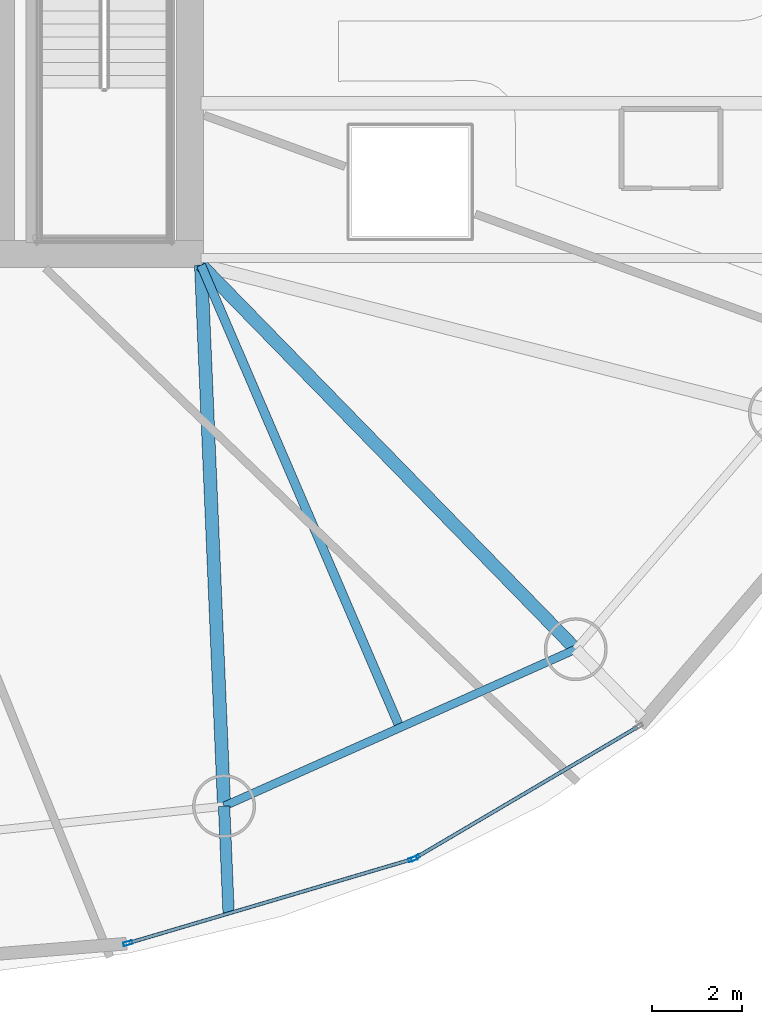
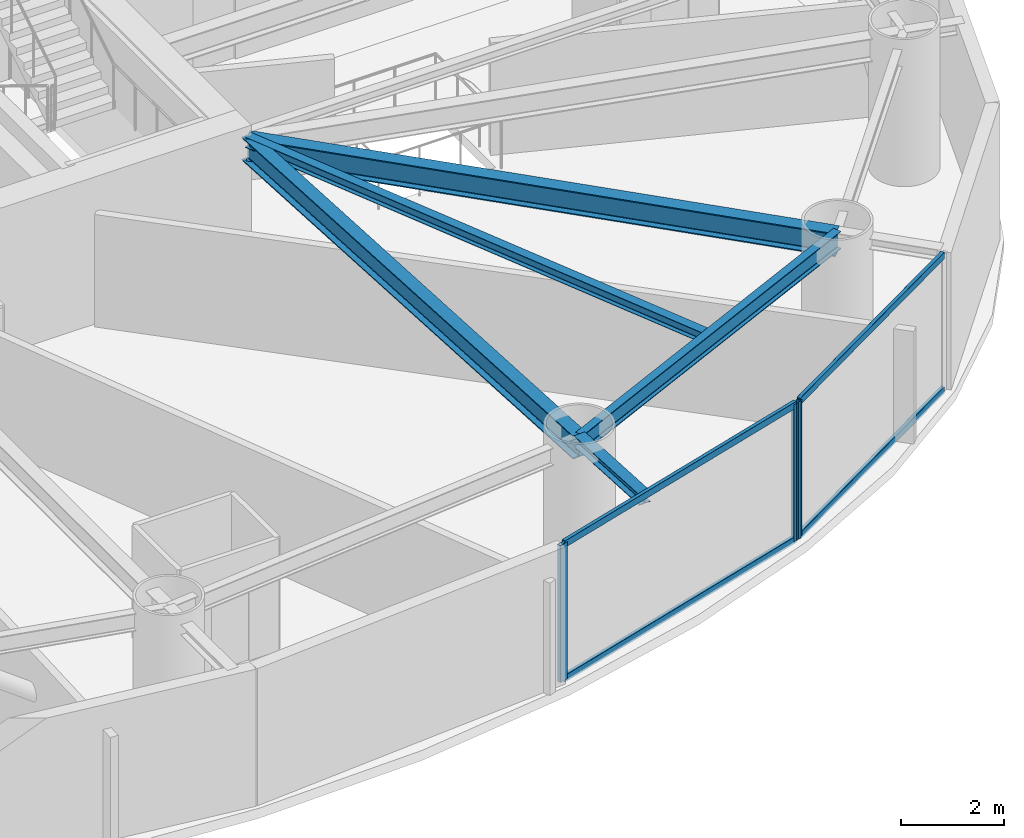
# One storey, part 6 of 24: 7 members, 5 beams, 2 elements without a shape of their own.
"""IFC4 building model written with IfcOpenShell, lengths in metres."""

from ifc_helpers import new_model, si_unit, direction, frame, origin, origin_2d, place, context, subcontext, project, spatial, hollow_rectangle, i_section, extrude, material, layer, layer_set, material_profile, profile_set, type_object, element, aggregate, save


model = new_model("IFC4")

# Units and contexts
model_context = context("Model", 3, precision=1e-05, world=origin(), true_north=direction((0.0, 1.0)))
body_context = subcontext(model_context, "Body", "Model", "MODEL_VIEW")
ifc_project = project(units=[si_unit("LENGTHUNIT", "METRE"), si_unit("AREAUNIT", "SQUARE_METRE"), si_unit("VOLUMEUNIT", "CUBIC_METRE"), si_unit("PLANEANGLEUNIT", "RADIAN"), si_unit("MASSUNIT", "GRAM", prefix="KILO")], contexts=[model_context])

# Site, building, storey
site_placement = place(None, origin())
site = spatial("IfcSite", under=ifc_project, at=site_placement, CompositionType="ELEMENT")
building_placement = place(site_placement, origin())
building = spatial("IfcBuilding", under=site, at=building_placement, Name="Bramvorn Convention Spire", CompositionType="ELEMENT")
storey_placement = place(building_placement, frame((0.0, 0.0, 148.300048828125)))
storey = spatial("IfcBuildingStorey", under=building, at=storey_placement, Name="L37", CompositionType="ELEMENT", Elevation=148.300048828125)

# Beams
ifc_material_1 = material(Name="Steel CSA G40.21 Grade 350 (350W)", Category="steel")
ifc_material_profile_1 = material_profile(ifc_material_1, i_section(OverallWidth=0.201904296875, OverallDepth=0.2470703125, WebThickness=0.00732421875, FlangeThickness=0.010986328125, FilletRadius=0.011962890625, at=origin_2d()))
ifc_profile_set_1 = profile_set([ifc_material_profile_1], Name="Steel CSA G40.21 Grade 350 (350W) - W250X49")
beam_type_1 = type_object("IfcBeamType", Name="BM-W250X49", PredefinedType="JOIST", material=ifc_profile_set_1)
beam_1_placement = place(storey_placement, frame((49.25, 18.550048828125, 3.136474609375), z_axis=(0.394937739893, -0.918707886985, 0.0), x_axis=(0.918707886985, 0.394937739893, 0.0)))
element("IfcBeam", 1, at=beam_1_placement, inside=storey, type_object=beam_type_1, Name="L37 composite floor joist 15", PredefinedType="JOIST", context=body_context, shape_type="SweptSolid", body=[
    extrude(i_section(OverallWidth=0.201904296875, OverallDepth=0.2470703125, WebThickness=0.00732421875, FlangeThickness=0.010986328125, FilletRadius=0.011962890625, at=origin_2d()), origin(), (0.0, 0.0, 1.0), 11.19384765625),
])
ifc_material_profile_2 = material_profile(ifc_material_1, i_section(OverallWidth=0.25390625, OverallDepth=0.2529296875, WebThickness=0.008544921875, FlangeThickness=0.01416015625, FilletRadius=0.011962890625, at=origin_2d()))
ifc_profile_set_2 = profile_set([ifc_material_profile_2], Name="Steel CSA G40.21 Grade 350 (350W) - W250X73")
beam_type_2 = type_object("IfcBeamType", Name="BM-W250X73", PredefinedType="BEAM", material=ifc_profile_set_2)
beam_2_placement = place(storey_placement, frame((49.76171875, 6.521240234375, 3.133544921875), z_axis=(0.042484204538, -0.999097138603, 0.0), x_axis=(0.999097138603, 0.042484204538, 0.0)))
element("IfcBeam", 2, at=beam_2_placement, inside=storey, type_object=beam_type_2, Name="L37 slab-edge cantilever tip beam MC15", PredefinedType="BEAM", context=body_context, shape_type="SweptSolid", body=[
    extrude(i_section(OverallWidth=0.25390625, OverallDepth=0.2529296875, WebThickness=0.008544921875, FlangeThickness=0.01416015625, FilletRadius=0.011962890625, at=origin_2d()), origin(), (0.0, 0.0, 1.0), 2.379150390625),
])
ifc_material_profile_3 = material_profile(ifc_material_1, i_section(OverallWidth=0.180908203125, OverallDepth=0.4169921875, WebThickness=0.010986328125, FlangeThickness=0.018310546875, FilletRadius=0.01611328125, at=origin_2d()))
ifc_profile_set_3 = profile_set([ifc_material_profile_3], Name="Steel CSA G40.21 Grade 350 (350W) - W410X85")
beam_type_3 = type_object("IfcBeamType", Name="BM-W410X85", PredefinedType="JOIST", material=ifc_profile_set_3)
beam_3_placement = place(storey_placement, frame((49.76171875, 6.521240234375, 3.051513671875), z_axis=(0.913169534701, 0.407579931908, 0.0), x_axis=(-0.407579931908, 0.913169534701, 0.0)))
element("IfcBeam", 3, at=beam_3_placement, inside=storey, type_object=beam_type_3, Name="L37 mega-column ring beam 15", PredefinedType="JOIST", context=body_context, shape_type="SweptSolid", body=[
    extrude(i_section(OverallWidth=0.180908203125, OverallDepth=0.4169921875, WebThickness=0.010986328125, FlangeThickness=0.018310546875, FilletRadius=0.01611328125, at=origin_2d()), origin(), (0.0, 0.0, 1.0), 8.5615234375),
])
ifc_material_profile_4 = material_profile(ifc_material_1, i_section(OverallWidth=0.2919921875, OverallDepth=0.551025390625, WebThickness=0.01513671875, FlangeThickness=0.0244140625, FilletRadius=0.01904296875, at=origin_2d()))
ifc_profile_set_4 = profile_set([ifc_material_profile_4], Name="Steel CSA G40.21 Grade 350 (350W) - W530X182")
beam_type_4 = type_object("IfcBeamType", Name="BM-W530X182", PredefinedType="BEAM", material=ifc_profile_set_4)
beam_4_placement = place(storey_placement, frame((49.25, 18.550048828125, 2.984375), z_axis=(0.042502657955, -0.999096353745, 0.0), x_axis=(0.999096353745, 0.042502657955, 0.0)))
element("IfcBeam", 4, at=beam_4_placement, inside=storey, type_object=beam_type_4, Name="L37 radial floor girder MC15", PredefinedType="BEAM", context=body_context, shape_type="SweptSolid", body=[
    extrude(i_section(OverallWidth=0.2919921875, OverallDepth=0.551025390625, WebThickness=0.01513671875, FlangeThickness=0.0244140625, FilletRadius=0.01904296875, at=origin_2d()), origin(), (0.0, 0.0, 1.0), 12.039794921875),
])
beam_5_placement = place(storey_placement, frame((49.25, 18.550048828125, 2.984375), z_axis=(0.698272445638, -0.715832097397, 0.0), x_axis=(0.715832097397, 0.698272445638, 0.0)))
element("IfcBeam", 5, at=beam_5_placement, inside=storey, type_object=beam_type_4, Name="L37 radial floor girder MC16", PredefinedType="BEAM", context=body_context, shape_type="SweptSolid", body=[
    extrude(i_section(OverallWidth=0.2919921875, OverallDepth=0.551025390625, WebThickness=0.01513671875, FlangeThickness=0.0244140625, FilletRadius=0.01904296875, at=origin_2d()), origin(), (0.0, 0.0, 1.0), 11.92919921875),
])

# Curtain wall, members
ifc_material_2 = material(Name="Anodised Bronze Unitised Curtain Wall", Category="aluminium")
ifc_layer = layer(ifc_material_2, 0.179931640625)
ifc_layer_set = layer_set([ifc_layer], Name="Anodised Bronze Unitised Curtain Wall - CW-HTL-FRIT")
curtain_wall_type = type_object("IfcCurtainWallType", Name="CW-HTL-FRIT", PredefinedType="USERDEFINED", material=ifc_layer_set)
curtain_wall_1_placement = place(storey_placement, origin())
curtain_wall_1 = element("IfcCurtainWall", 6, at=curtain_wall_1_placement, inside=storey, type_object=curtain_wall_type, Name="L37 fritted glass curtain wall 22", ObjectType="UNITISED CURTAIN WALL", PredefinedType="USERDEFINED")
ifc_material_3 = material(Name="Anodised Bronze Aluminium 6063-T6", Category="aluminium")
ifc_material_profile_5 = material_profile(ifc_material_3, hollow_rectangle(XDim=0.080078125, YDim=0.199951171875, WallThickness=0.00390625, InnerFilletRadius=0.0009765625, OuterFilletRadius=0.00390625, at=origin_2d()))
ifc_profile_set_5 = profile_set([ifc_material_profile_5], Name="Anodised Bronze Aluminium 6063-T6 - CWM80X200")
member_type_1 = type_object("IfcMemberType", Name="CW-MUL-180", PredefinedType="MULLION", material=ifc_profile_set_5)
member_1_placement = place(storey_placement, frame((53.956787109375, 5.345947265625, 0.0), z_axis=(0.0, 0.0, 1.0), x_axis=(0.283385342219, -0.959006125015, 0.0)))
member_1 = element("IfcMember", 7, at=member_1_placement, type_object=member_type_1, Name="CW2 mullion 1", PredefinedType="MULLION", context=body_context, shape_type="SweptSolid", body=[
    extrude(hollow_rectangle(XDim=0.080078125, YDim=0.199951171875, WallThickness=0.00390625, InnerFilletRadius=0.0009765625, OuterFilletRadius=0.00390625, at=origin_2d()), origin(), (0.0, 0.0, 1.0), 3.260009765625),
])
member_2_placement = place(storey_placement, frame((47.622314453125, 3.47412109375, 0.0), z_axis=(0.0, 0.0, 1.0), x_axis=(0.283385342219, -0.959006125015, 0.0)))
member_2 = element("IfcMember", 8, at=member_2_placement, type_object=member_type_1, Name="CW2 mullion 2", PredefinedType="MULLION", context=body_context, shape_type="SweptSolid", body=[
    extrude(hollow_rectangle(XDim=0.080078125, YDim=0.199951171875, WallThickness=0.00390625, InnerFilletRadius=0.0009765625, OuterFilletRadius=0.00390625, at=origin_2d()), origin(), (0.0, 0.0, 1.0), 3.260009765625),
])

# Curtain wall, member
curtain_wall_2_placement = place(storey_placement, origin())
curtain_wall_2 = element("IfcCurtainWall", 9, at=curtain_wall_2_placement, inside=storey, type_object=curtain_wall_type, Name="L37 fritted glass curtain wall 23", ObjectType="UNITISED CURTAIN WALL", PredefinedType="USERDEFINED")
member_3_placement = place(storey_placement, frame((54.01123046875, 5.36962890625, 0.0), z_axis=(0.0, 0.0, 1.0), x_axis=(0.507652698742, -0.8615618013, 0.0)))
member_3 = element("IfcMember", 10, at=member_3_placement, type_object=member_type_1, Name="CW2 mullion 2", PredefinedType="MULLION", context=body_context, shape_type="SweptSolid", body=[
    extrude(hollow_rectangle(XDim=0.080078125, YDim=0.199951171875, WallThickness=0.00390625, InnerFilletRadius=0.0009765625, OuterFilletRadius=0.00390625, at=origin_2d()), origin(), (0.0, 0.0, 1.0), 3.260009765625),
])

# Member
ifc_material_profile_6 = material_profile(ifc_material_3, hollow_rectangle(XDim=0.080078125, YDim=0.159912109375, WallThickness=0.00390625, InnerFilletRadius=0.0009765625, OuterFilletRadius=0.00390625, at=origin_2d()))
ifc_profile_set_6 = profile_set([ifc_material_profile_6], Name="Anodised Bronze Aluminium 6063-T6 - CWT80X160")
member_type_2 = type_object("IfcMemberType", Name="CW-TRN-150", PredefinedType="USERDEFINED", material=ifc_profile_set_6)
member_4_placement = place(storey_placement, frame((53.927978515625, 5.33740234375, 0.030029296875), z_axis=(-0.959008953825, -0.283375769047, 0.0), x_axis=(0.283375769047, -0.959008953825, 0.0)))
member_4 = element("IfcMember", 11, at=member_4_placement, type_object=member_type_2, Name="CW2 transom 1.1", ObjectType="TRANSOM", PredefinedType="USERDEFINED", context=body_context, shape_type="SweptSolid", body=[
    extrude(hollow_rectangle(XDim=0.080078125, YDim=0.159912109375, WallThickness=0.00390625, InnerFilletRadius=0.0009765625, OuterFilletRadius=0.00390625, at=origin_2d()), origin(), (0.0, 0.0, 1.0), 6.545166015625),
])

member_5_placement = place(storey_placement, frame((53.927978515625, 5.33740234375, 3.22998046875), z_axis=(-0.959008953825, -0.283375769047, 0.0), x_axis=(0.283375769047, -0.959008953825, 0.0)))
member_5 = element("IfcMember", 12, at=member_5_placement, type_object=member_type_2, Name="CW2 transom 1.2", ObjectType="TRANSOM", PredefinedType="USERDEFINED", context=body_context, shape_type="SweptSolid", body=[
    extrude(hollow_rectangle(XDim=0.080078125, YDim=0.159912109375, WallThickness=0.00390625, InnerFilletRadius=0.0009765625, OuterFilletRadius=0.00390625, at=origin_2d()), origin(), (0.0, 0.0, 1.0), 6.545166015625),
])

aggregate(curtain_wall_1, [member_1, member_2, member_4, member_5])

member_6_placement = place(storey_placement, frame((58.950439453125, 8.27978515625, 0.030029296875), z_axis=(-0.861564207613, -0.507648614851, 0.0), x_axis=(0.507648614851, -0.861564207613, 0.0)))
member_6 = element("IfcMember", 13, at=member_6_placement, type_object=member_type_2, Name="CW2 transom 1.1", ObjectType="TRANSOM", PredefinedType="USERDEFINED", context=body_context, shape_type="SweptSolid", body=[
    extrude(hollow_rectangle(XDim=0.080078125, YDim=0.159912109375, WallThickness=0.00390625, InnerFilletRadius=0.0009765625, OuterFilletRadius=0.00390625, at=origin_2d()), origin(), (0.0, 0.0, 1.0), 5.702880859375),
])

member_7_placement = place(storey_placement, frame((58.950439453125, 8.27978515625, 3.22998046875), z_axis=(-0.861564207613, -0.507648614851, 0.0), x_axis=(0.507648614851, -0.861564207613, 0.0)))
member_7 = element("IfcMember", 14, at=member_7_placement, type_object=member_type_2, Name="CW2 transom 1.2", ObjectType="TRANSOM", PredefinedType="USERDEFINED", context=body_context, shape_type="SweptSolid", body=[
    extrude(hollow_rectangle(XDim=0.080078125, YDim=0.159912109375, WallThickness=0.00390625, InnerFilletRadius=0.0009765625, OuterFilletRadius=0.00390625, at=origin_2d()), origin(), (0.0, 0.0, 1.0), 5.702880859375),
])

aggregate(curtain_wall_2, [member_3, member_6, member_7])

save(model, "model.ifc")
